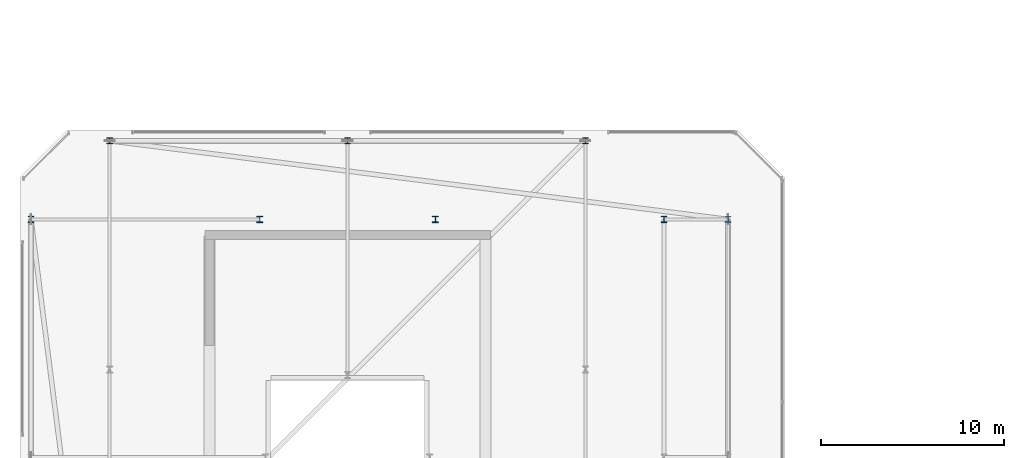
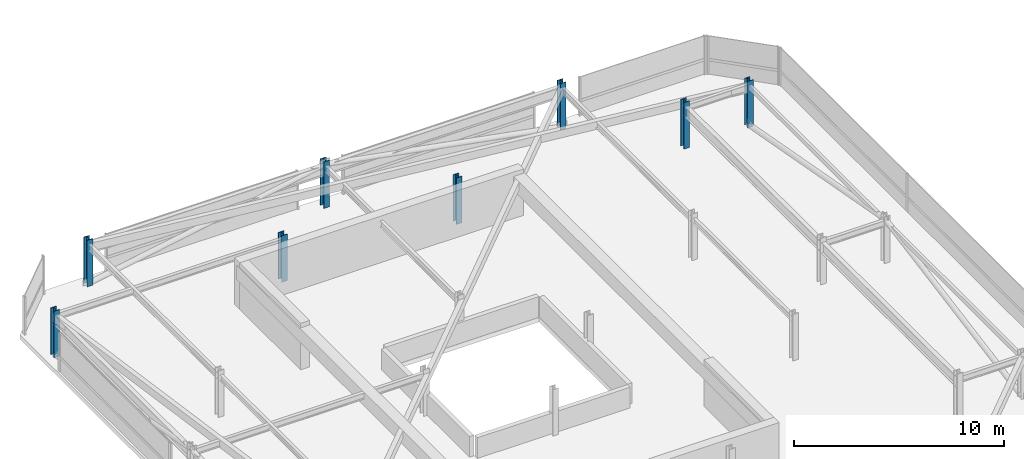
# One storey, part 3 of 42: 8 columns.
"""IFC4 building model written with IfcOpenShell, lengths in metres."""

from ifc_helpers import new_model, si_unit, direction, frame, origin, origin_2d, place, context, subcontext, project, spatial, i_section, extrude, material, material_profile, profile_set, type_object, element, save


model = new_model("IFC4")

# Units and contexts
model_context = context("Model", 3, precision=1e-05, world=origin(), true_north=direction((0.0, 1.0)))
body_context = subcontext(model_context, "Body", "Model", "MODEL_VIEW")
ifc_project = project(units=[si_unit("LENGTHUNIT", "METRE"), si_unit("AREAUNIT", "SQUARE_METRE"), si_unit("VOLUMEUNIT", "CUBIC_METRE"), si_unit("PLANEANGLEUNIT", "RADIAN"), si_unit("MASSUNIT", "GRAM", prefix="KILO")], contexts=[model_context])

# Site, building, storey
site_placement = place(None, origin())
site = spatial("IfcSite", under=ifc_project, at=site_placement, CompositionType="ELEMENT")
building_placement = place(site_placement, origin())
building = spatial("IfcBuilding", under=site, at=building_placement, Name="Thornwick Lancets Civic Towers", CompositionType="ELEMENT")
storey_placement = place(building_placement, frame((0.0, 0.0, 289.5)))
storey = spatial("IfcBuildingStorey", under=building, at=storey_placement, Name="C04", CompositionType="ELEMENT", Elevation=289.5)

# Columns
ifc_material = material(Name="Steel S355JR", Category="steel")
ifc_material_profile_1 = material_profile(ifc_material, i_section(OverallWidth=0.30908203125, OverallDepth=0.320556640625, WebThickness=0.013916015625, FlangeThickness=0.021728515625, FilletRadius=0.01513671875, at=origin_2d()), Name="UKC 305x305x137")
ifc_profile_set_1 = profile_set([ifc_material_profile_1], Name="Steel S355JR")
column_type_1 = type_object("IfcColumnType", Name="COL_UKC_137", PredefinedType="COLUMN", material=ifc_profile_set_1)
column_placement = place(storey_placement, frame((46.300048828125, 40.0, 0.0), z_axis=(0.0, 0.0, 1.0), x_axis=(1.0, 0.0, 0.0)))
element("IfcColumn", 1, at=column_placement, inside=storey, type_object=column_type_1, Name="C04 Block Perimeter Column A06", PredefinedType="COLUMN", context=body_context, shape_type="SweptSolid", body=[
    extrude(i_section(OverallWidth=0.30908203125, OverallDepth=0.320556640625, WebThickness=0.013916015625, FlangeThickness=0.021728515625, FilletRadius=0.01513671875, at=origin_2d()), origin(), (0.0, 0.0, 1.0), 2.699951171875),
])
ifc_material_profile_2 = material_profile(ifc_material, i_section(OverallWidth=0.314453125, OverallDepth=0.33984375, WebThickness=0.01904296875, FlangeThickness=0.031494140625, FilletRadius=0.01513671875, at=origin_2d()), Name="UKC 305x305x198")
ifc_profile_set_2 = profile_set([ifc_material_profile_2], Name="Steel S355JR")
column_type_2 = type_object("IfcColumnType", Name="COL_UKC_198", PredefinedType="COLUMN", material=ifc_profile_set_2)
for number, where, z_axis, x_axis, name in (
    (2, (42.800048828125, 40.0, 0.0), (0.0, 0.0, 1.0), (1.0, 0.0, 0.0), "C04 Spine Mega-Column A06"),
    (3, (12.5, 44.300048828125, 0.0), (0.0, 0.0, 1.0), (1.0, 0.0, 0.0), "C04 Spine Mega-Column A07"),
    (4, (25.5, 44.300048828125, 0.0), (0.0, 0.0, 1.0), (1.0, 0.0, 0.0), "C04 Spine Mega-Column A08"),
    (5, (38.5, 44.300048828125, 0.0), (0.0, 0.0, 1.0), (1.0, 0.0, 0.0), "C04 Spine Mega-Column A09"),
    (6, (8.199951171875, 40.0, 0.0), (0.0, 0.0, 1.0), (1.0, 0.0, 0.0), "C04 Spine Mega-Column A12"),
    (7, (20.699951171875, 40.0, 0.0), (0.0, 0.0, 1.0), (1.0, 0.0, 0.0), "C04 Spine Mega-Column A19"),
    (8, (30.300048828125, 40.0, 0.0), (0.0, 0.0, 1.0), (1.0, 0.0, 0.0), "C04 Spine Mega-Column A20"),
):
    element("IfcColumn", number, at=place(storey_placement, frame(where, z_axis=z_axis, x_axis=x_axis)), inside=storey, type_object=column_type_2, Name=name, PredefinedType="COLUMN", context=body_context, shape_type="SweptSolid", body=[
        extrude(i_section(OverallWidth=0.314453125, OverallDepth=0.33984375, WebThickness=0.01904296875, FlangeThickness=0.031494140625, FilletRadius=0.01513671875, at=origin_2d()), origin(), (0.0, 0.0, 1.0), 2.699951171875),
    ])

save(model, "model.ifc")
